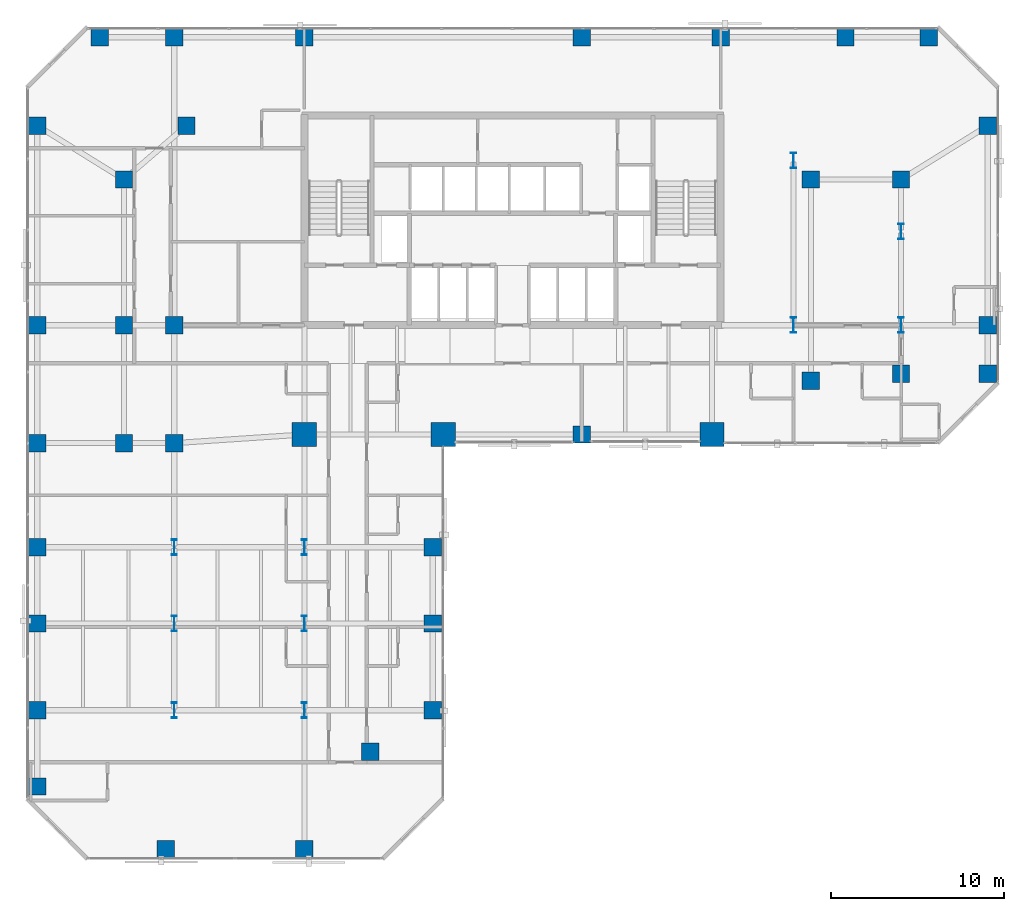
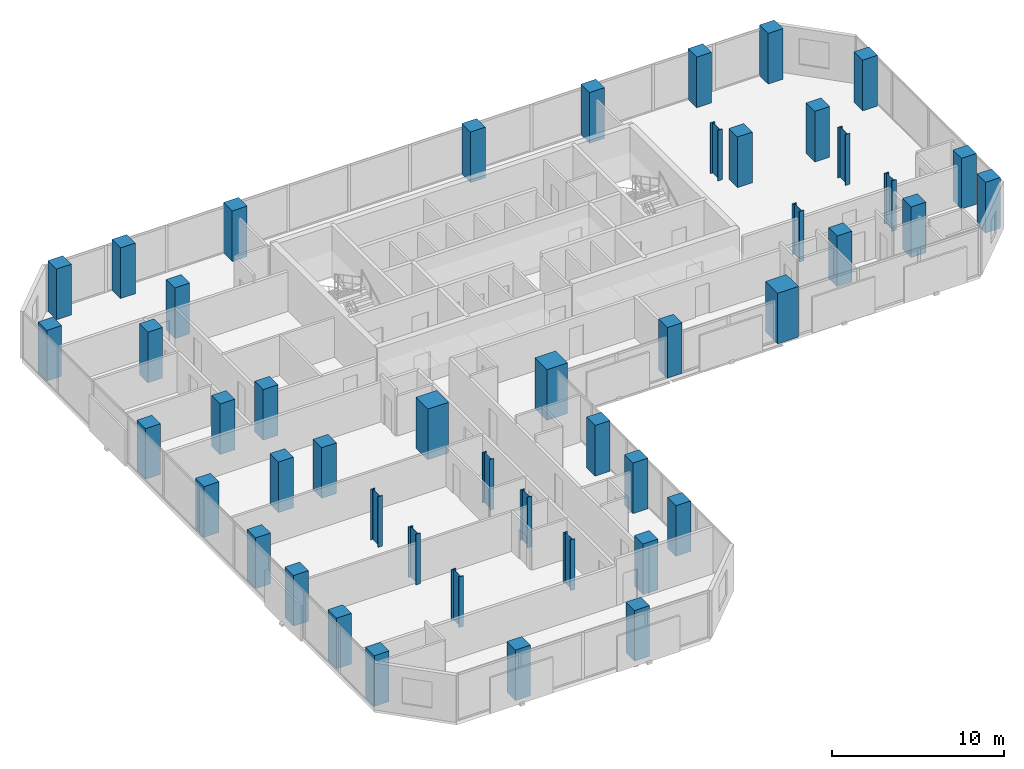
# One storey, part 1 of 31: 47 columns.
"""IFC4 building model written with IfcOpenShell, lengths in metres."""

from ifc_helpers import new_model, si_unit, direction, frame, origin, origin_2d, place, context, subcontext, project, spatial, rectangle, i_section, extrude, material, material_profile, profile_set, type_object, element, save


model = new_model("IFC4")

# Units and contexts
model_context = context("Model", 3, precision=1e-05, world=origin(), true_north=direction((0.0, 1.0)))
body_context = subcontext(model_context, "Body", "Model", "MODEL_VIEW")
ifc_project = project(units=[si_unit("LENGTHUNIT", "METRE"), si_unit("AREAUNIT", "SQUARE_METRE"), si_unit("VOLUMEUNIT", "CUBIC_METRE"), si_unit("PLANEANGLEUNIT", "RADIAN"), si_unit("MASSUNIT", "GRAM", prefix="KILO")], contexts=[model_context])

# Site, building, storey
site_placement = place(None, origin())
site = spatial("IfcSite", under=ifc_project, at=site_placement, CompositionType="ELEMENT")
building_placement = place(site_placement, origin())
building = spatial("IfcBuilding", under=site, at=building_placement, Name="Catumbela Crestline Tower", CompositionType="ELEMENT")
storey_placement = place(building_placement, frame((0.0, 0.0, 36.6)))
storey = spatial("IfcBuildingStorey", under=building, at=storey_placement, Name="L08", CompositionType="ELEMENT", Elevation=36.6)

# Columns
ifc_material_1 = material(Name="Concrete C60/75", Category="concrete")
ifc_material_profile_1 = material_profile(ifc_material_1, rectangle(XDim=1.0, YDim=1.0, at=origin_2d()), Name="RC 1000x1000")
ifc_profile_set_1 = profile_set([ifc_material_profile_1], Name="Concrete C60/75")
column_type_1 = type_object("IfcColumnType", Name="C-RC1000-C60", PredefinedType="COLUMN", material=ifc_profile_set_1)
for number, where, z_axis, x_axis, name in (
    (1, (8.5, 24.0, 0.0), (0.0, 0.0, 1.0), (1.0, 0.0, 0.0), "L08 Column C-08-24 (RC 1000x1000)"),
    (2, (32.0, 24.5, 0.0), (0.0, 0.0, 1.0), (1.0, 0.0, 0.0), "L08 Column C-32-24 (RC 1000x1000)"),
    (3, (5.6, 24.0, 0.0), (0.0, 0.0, 1.0), (1.0, 0.0, 0.0), "L08 Column C-05-24 (RC 1000x1000)"),
    (4, (5.6, 30.8, 0.0), (0.0, 0.0, 1.0), (1.0, 0.0, 0.0), "L08 Column C-05-31 (RC 1000x1000)"),
    (5, (5.6, 39.2, 0.0), (0.0, 0.0, 1.0), (1.0, 0.0, 0.0), "L08 Column C-05-43 (RC 1000x1000)"),
    (6, (8.5, 30.8, 0.0), (0.0, 0.0, 1.0), (1.0, 0.0, 0.0), "L08 Column C-08-31 (RC 1000x1000)"),
    (7, (9.2, 42.3, 0.0), (0.0, 0.0, 1.0), (1.0, 0.0, 0.0), "L08 Column C-08-43 (RC 1000x1000)"),
    (8, (45.2, 27.6, 0.0), (0.0, 0.0, 1.0), (1.0, 0.0, 0.0), "L08 Column C-46-24 (RC 1000x1000)"),
    (9, (45.2, 39.2, 0.0), (0.0, 0.0, 1.0), (1.0, 0.0, 0.0), "L08 Column C-46-43 (RC 1000x1000)"),
    (10, (0.6, 24.0, 0.0), (0.0, 0.0, 1.0), (1.0, 0.0, 0.0), "L08 Column C-00-24 (RC 1000x1000)"),
    (11, (0.6, 30.8, 0.0), (0.0, 0.0, 1.0), (1.0, 0.0, 0.0), "L08 Column C-00-31 (RC 1000x1000)"),
    (12, (0.6, 42.3, 0.0), (0.0, 0.0, 1.0), (1.0, 0.0, 0.0), "L08 Column C-00-43 (RC 1000x1000)"),
    (13, (4.2, 47.4, 0.0), (0.0, 0.0, 1.0), (1.0, 0.0, 0.0), "L08 Column C-00-48 (RC 1000x1000)"),
    (14, (8.5, 47.4, 0.0), (0.0, 0.0, 1.0), (1.0, 0.0, 0.0), "L08 Column C-08-48 (RC 1000x1000)"),
    (15, (16.0, 47.4, 0.0), (0.0, 0.0, 1.0), (1.0, 0.0, 0.0), "L08 Column C-16-48 (RC 1000x1000)"),
    (16, (32.0, 47.4, 0.0), (0.0, 0.0, 1.0), (1.0, 0.0, 0.0), "L08 Column C-32-48 (RC 1000x1000)"),
    (17, (40.0, 47.4, 0.0), (0.0, 0.0, 1.0), (1.0, 0.0, 0.0), "L08 Column C-40-48 (RC 1000x1000)"),
    (18, (47.2, 47.4, 0.0), (0.0, 0.0, 1.0), (1.0, 0.0, 0.0), "L08 Column C-48-48 (RC 1000x1000)"),
    (19, (50.4, 28.0, 0.0), (0.0, 0.0, 1.0), (1.0, 0.0, 0.0), "L08 Column C-51-24 (RC 1000x1000)"),
    (20, (50.4, 39.2, 0.0), (0.0, 0.0, 1.0), (1.0, 0.0, 0.0), "L08 Column C-51-43 (RC 1000x1000)"),
    (21, (55.4, 28.0, 0.0), (0.0, 0.0, 1.0), (1.0, 0.0, 0.0), "L08 Column C-56-24 (RC 1000x1000)"),
    (22, (55.4, 30.8, 0.0), (0.0, 0.0, 1.0), (1.0, 0.0, 0.0), "L08 Column C-56-31 (RC 1000x1000)"),
    (23, (55.4, 42.3, 0.0), (0.0, 0.0, 1.0), (1.0, 0.0, 0.0), "L08 Column C-56-43 (RC 1000x1000)"),
    (24, (52.0, 47.4, 0.0), (0.0, 0.0, 1.0), (1.0, 0.0, 0.0), "L08 Column C-56-48 (RC 1000x1000)"),
    (25, (0.6, 8.6, 0.0), (0.0, 0.0, 1.0), (1.0, 0.0, 0.0), "L08 Column C-00-05 (RC 1000x1000)"),
    (26, (0.6, 13.6, 0.0), (0.0, 0.0, 1.0), (1.0, 0.0, 0.0), "L08 Column C-00-10 (RC 1000x1000)"),
    (27, (0.6, 18.0, 0.0), (0.0, 0.0, 1.0), (1.0, 0.0, 0.0), "L08 Column C-00-16 (RC 1000x1000)"),
    (28, (0.6, 4.2, 0.0), (0.0, 0.0, 1.0), (1.0, 0.0, 0.0), "L08 Column C-00-03 (RC 1000x1000)"),
    (29, (8.0, 0.6, 0.0), (0.0, 0.0, 1.0), (1.0, 0.0, 0.0), "L08 Column C-08-00 (RC 1000x1000)"),
    (30, (16.0, 0.6, 0.0), (0.0, 0.0, 1.0), (1.0, 0.0, 0.0), "L08 Column C-16-00 (RC 1000x1000)"),
    (31, (19.8, 6.2, 0.0), (0.0, 0.0, 1.0), (1.0, 0.0, 0.0), "L08 Column C-24-05 (RC 1000x1000)"),
    (32, (23.4, 8.6, 0.0), (0.0, 0.0, 1.0), (1.0, 0.0, 0.0), "L08 Column C-23-08 (RC 1000x1000)"),
    (33, (23.4, 13.6, 0.0), (0.0, 0.0, 1.0), (1.0, 0.0, 0.0), "L08 Column C-24-10 (RC 1000x1000)"),
    (34, (23.4, 18.0, 0.0), (0.0, 0.0, 1.0), (1.0, 0.0, 0.0), "L08 Column C-24-16 (RC 1000x1000)"),
):
    element("IfcColumn", number, at=place(storey_placement, frame(where, z_axis=z_axis, x_axis=x_axis)), inside=storey, type_object=column_type_1, Name=name, PredefinedType="COLUMN", context=body_context, shape_type="SweptSolid", body=[
        extrude(rectangle(XDim=1.0, YDim=1.0, at=origin_2d()), origin(), (0.0, 0.0, 1.0), 3.6),
    ])
ifc_material_profile_2 = material_profile(ifc_material_1, rectangle(XDim=1.4, YDim=1.4, at=origin_2d()), Name="RC 1400x1400")
ifc_profile_set_2 = profile_set([ifc_material_profile_2], Name="Concrete C60/75")
column_type_2 = type_object("IfcColumnType", Name="C-RC1400-C60", PredefinedType="COLUMN", material=ifc_profile_set_2)
for number, where, z_axis, x_axis, name in (
    (35, (16.0, 24.5, 0.0), (0.0, 0.0, 1.0), (1.0, 0.0, 0.0), "L08 Column C-16-24 (RC 1400x1400)"),
    (36, (24.0, 24.5, 0.0), (0.0, 0.0, 1.0), (1.0, 0.0, 0.0), "L08 Column C-24-24 (RC 1400x1400)"),
    (37, (39.5, 24.5, 0.0), (0.0, 0.0, 1.0), (1.0, 0.0, 0.0), "L08 Column C-40-24 (RC 1400x1400)"),
):
    element("IfcColumn", number, at=place(storey_placement, frame(where, z_axis=z_axis, x_axis=x_axis)), inside=storey, type_object=column_type_2, Name=name, PredefinedType="COLUMN", context=body_context, shape_type="SweptSolid", body=[
        extrude(rectangle(XDim=1.4, YDim=1.4, at=origin_2d()), origin(), (0.0, 0.0, 1.0), 3.6),
    ])
ifc_material_2 = material(Name="Structural steel S460M", Category="steel")
ifc_material_profile_3 = material_profile(ifc_material_2, i_section(OverallWidth=0.3, OverallDepth=0.9, WebThickness=0.0185, FlangeThickness=0.035, FilletRadius=0.03, at=origin_2d()), Name="HEB 900")
ifc_profile_set_3 = profile_set([ifc_material_profile_3], Name="Structural steel S460M")
column_type_3 = type_object("IfcColumnType", Name="C-ST-HEB900", PredefinedType="COLUMN", material=ifc_profile_set_3)
for number, where, z_axis, x_axis, name in (
    (38, (8.5, 8.6, 0.0), (0.0, 0.0, 1.0), (1.0, 0.0, 0.0), "L08 Column CT-05-05 (HEB 900)"),
    (39, (16.0, 8.6, 0.0), (0.0, 0.0, 1.0), (1.0, 0.0, 0.0), "L08 Column CT-14-05 (HEB 900)"),
    (40, (8.5, 13.6, 0.0), (0.0, 0.0, 1.0), (1.0, 0.0, 0.0), "L08 Column CT-05-10 (HEB 900)"),
    (41, (16.0, 13.6, 0.0), (0.0, 0.0, 1.0), (1.0, 0.0, 0.0), "L08 Column CT-14-10 (HEB 900)"),
    (42, (8.5, 18.0, 0.0), (0.0, 0.0, 1.0), (1.0, 0.0, 0.0), "L08 Column CT-05-16 (HEB 900)"),
    (43, (16.0, 18.0, 0.0), (0.0, 0.0, 1.0), (1.0, 0.0, 0.0), "L08 Column CT-14-16 (HEB 900)"),
    (44, (44.2, 30.8, 0.0), (0.0, 0.0, 1.0), (1.0, 0.0, 0.0), "L08 Column CT-46-31 (HEB 900)"),
    (45, (44.2, 40.3, 0.0), (0.0, 0.0, 1.0), (1.0, 0.0, 0.0), "L08 Column CT-46-37 (HEB 900)"),
    (46, (50.4, 30.8, 0.0), (0.0, 0.0, 1.0), (1.0, 0.0, 0.0), "L08 Column CT-51-31 (HEB 900)"),
    (47, (50.4, 36.2, 0.0), (0.0, 0.0, 1.0), (1.0, 0.0, 0.0), "L08 Column CT-51-37 (HEB 900)"),
):
    element("IfcColumn", number, at=place(storey_placement, frame(where, z_axis=z_axis, x_axis=x_axis)), inside=storey, type_object=column_type_3, Name=name, PredefinedType="COLUMN", context=body_context, shape_type="SweptSolid", body=[
        extrude(i_section(OverallWidth=0.3, OverallDepth=0.9, WebThickness=0.0185, FlangeThickness=0.035, FilletRadius=0.03, at=origin_2d()), origin(), (0.0, 0.0, 1.0), 3.6),
    ])

save(model, "model.ifc")
